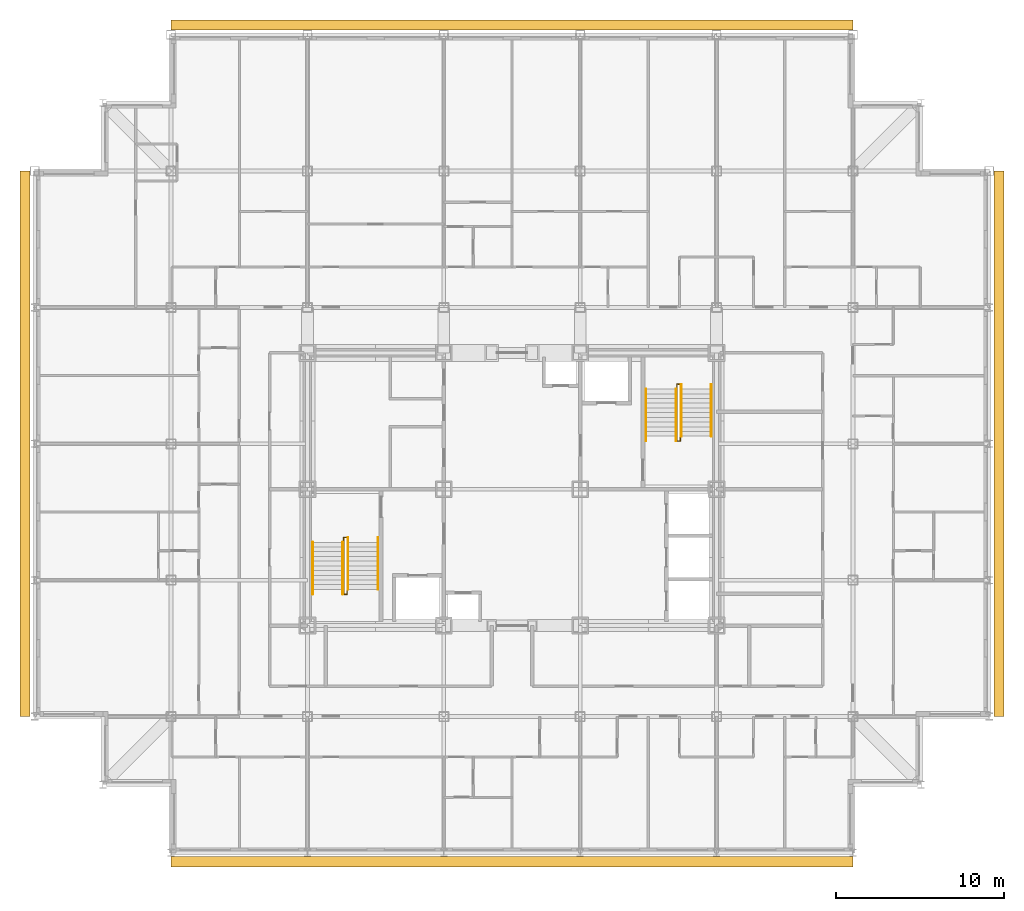
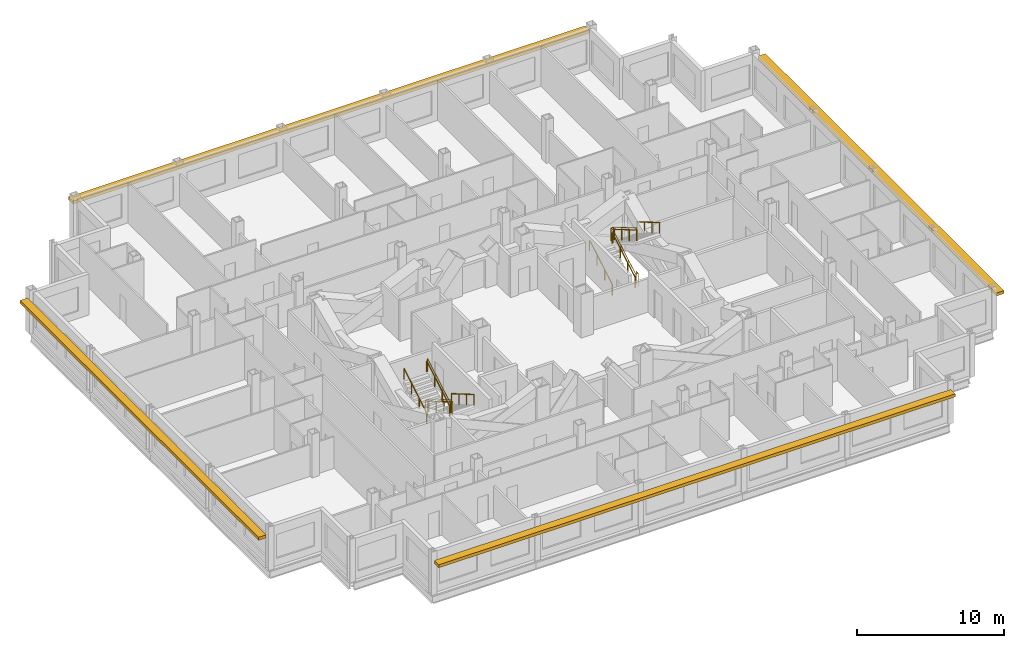
# One storey, part 12 of 12: 10 railings, 4 shading devices.
"""IFC4 building model written with IfcOpenShell, lengths in metres."""

from ifc_helpers import new_model, si_unit, direction, frame, origin, origin_2d, place, context, subcontext, project, spatial, rectangle, circle, extrude, material, type_object, element, save


model = new_model("IFC4")

# Units and contexts
model_context = context("Model", 3, precision=1e-05, world=origin(), true_north=direction((0.0, 1.0)))
body_context = subcontext(model_context, "Body", "Model", "MODEL_VIEW")
ifc_project = project(units=[si_unit("LENGTHUNIT", "METRE"), si_unit("AREAUNIT", "SQUARE_METRE"), si_unit("VOLUMEUNIT", "CUBIC_METRE"), si_unit("PLANEANGLEUNIT", "RADIAN"), si_unit("MASSUNIT", "GRAM", prefix="KILO")], contexts=[model_context])

# Site, building, storey
site_placement = place(None, origin())
site = spatial("IfcSite", under=ifc_project, at=site_placement, CompositionType="ELEMENT")
building_placement = place(site_placement, origin())
building = spatial("IfcBuilding", under=site, at=building_placement, Name="Kopane Lantern Tower", CompositionType="ELEMENT")
storey_placement = place(building_placement, frame((0.0, 0.0, 220.800048828125)))
storey = spatial("IfcBuildingStorey", under=building, at=storey_placement, Name="L57", CompositionType="ELEMENT", Elevation=220.800048828125)

# Railings
ifc_material_1 = material(Name="Steel", Category="steel")
railing_type_1 = type_object("IfcRailingType", Name="STAIR GUARD 1100", PredefinedType="GUARDRAIL", material=ifc_material_1)
railing_1_placement = place(storey_placement, frame((18.35009765625, 29.25, 0.0)))
element("IfcRailing", 1, at=railing_1_placement, inside=storey, type_object=railing_type_1, Name="ST1 well guard L57", PredefinedType="GUARDRAIL", context=body_context, shape_type="SweptSolid", body=[
    extrude(circle(Radius=0.02392578125, at=origin_2d()), frame((0.0, 0.0, 1.076171875), z_axis=(0.0, 1.0, 0.0), x_axis=(-1.0, 0.0, 0.0)), (0.0, 0.0, 1.0), 0.280029296875),
    extrude(circle(Radius=0.02392578125, at=origin_2d()), frame((0.0, 0.280029296875, 1.076171875), z_axis=(1.0, 0.0, 0.0), x_axis=(0.0, 1.0, 0.0)), (0.0, 0.0, 1.0), 0.199951171875),
    extrude(circle(Radius=0.02392578125, at=origin_2d()), frame((0.199951171875, 0.280029296875, 1.076171875), z_axis=(0.0, -0.863371556955, 0.504568681787), x_axis=(1.0, 0.0, 0.0)), (0.0, 0.0, 1.0), 3.5673828125),
    extrude(circle(Radius=0.02392578125, at=origin_2d()), frame((0.199951171875, -2.800048828125, 2.8759765625), z_axis=(0.0, -1.0, 0.0), x_axis=(1.0, 0.0, 0.0)), (0.0, 0.0, 1.0), 0.280029296875),
    extrude(circle(Radius=0.02392578125, at=origin_2d()), frame((0.199951171875, -3.080078125, 2.8759765625), z_axis=(-1.0, 0.0, 0.0), x_axis=(0.0, -1.0, 0.0)), (0.0, 0.0, 1.0), 0.199951171875),
    extrude(circle(Radius=0.02392578125, at=origin_2d()), frame((0.0, -3.080078125, 2.8759765625), z_axis=(0.0, 0.863401368682, 0.504517667242), x_axis=(-1.0, 0.0, 0.0)), (0.0, 0.0, 1.0), 3.5673828125),
    extrude(circle(Radius=0.02099609375, at=origin_2d()), origin(), (0.0, 0.0, 1.0), 1.052001953125),
    extrude(circle(Radius=0.02099609375, at=origin_2d()), frame((0.0, 0.280029296875, 0.0)), (0.0, 0.0, 1.0), 1.052001953125),
    extrude(circle(Radius=0.02099609375, at=origin_2d()), frame((0.199951171875, 0.280029296875, 0.0)), (0.0, 0.0, 1.0), 1.052001953125),
    extrude(circle(Radius=0.02099609375, at=origin_2d()), frame((0.199951171875, -0.74658203125, 0.60009765625)), (0.0, 0.0, 1.0), 1.052001953125),
    extrude(circle(Radius=0.02099609375, at=origin_2d()), frame((0.199951171875, -1.7734375, 1.199951171875)), (0.0, 0.0, 1.0), 1.052001953125),
    extrude(circle(Radius=0.02099609375, at=origin_2d()), frame((0.199951171875, -2.800048828125, 1.800048828125)), (0.0, 0.0, 1.0), 1.052001953125),
    extrude(circle(Radius=0.02099609375, at=origin_2d()), frame((0.199951171875, -3.080078125, 1.800048828125)), (0.0, 0.0, 1.0), 1.052001953125),
    extrude(circle(Radius=0.02099609375, at=origin_2d()), frame((0.0, -3.080078125, 1.800048828125)), (0.0, 0.0, 1.0), 1.052001953125),
    extrude(circle(Radius=0.02099609375, at=origin_2d()), frame((0.0, -2.053466796875, 2.39990234375)), (0.0, 0.0, 1.0), 1.052001953125),
    extrude(circle(Radius=0.02099609375, at=origin_2d()), frame((0.0, -1.026611328125, 3.0)), (0.0, 0.0, 1.0), 1.052001953125),
    extrude(circle(Radius=0.02099609375, at=origin_2d()), frame((0.0, 0.0, 3.599853515625)), (0.0, 0.0, 1.0), 1.052001953125),
])
railing_2_placement = place(storey_placement, frame((38.35009765625, 35.550048828125, 0.0)))
element("IfcRailing", 2, at=railing_2_placement, inside=storey, type_object=railing_type_1, Name="ST2 well guard L57", PredefinedType="GUARDRAIL", context=body_context, shape_type="SweptSolid", body=[
    extrude(circle(Radius=0.02392578125, at=origin_2d()), frame((0.0, 0.0, 1.076171875), z_axis=(0.0, -1.0, 0.0), x_axis=(1.0, 0.0, 0.0)), (0.0, 0.0, 1.0), 0.280029296875),
    extrude(circle(Radius=0.02392578125, at=origin_2d()), frame((0.0, -0.280029296875, 1.076171875), z_axis=(-1.0, 0.0, 0.0), x_axis=(0.0, -1.0, 0.0)), (0.0, 0.0, 1.0), 0.2001953125),
    extrude(circle(Radius=0.02392578125, at=origin_2d()), frame((-0.2001953125, -0.280029296875, 1.076171875), z_axis=(0.0, 0.863371556955, 0.504568681787), x_axis=(-1.0, 0.0, 0.0)), (0.0, 0.0, 1.0), 3.5673828125),
    extrude(circle(Radius=0.02392578125, at=origin_2d()), frame((-0.2001953125, 2.800048828125, 2.8759765625), z_axis=(0.0, 1.0, 0.0), x_axis=(-1.0, 0.0, 0.0)), (0.0, 0.0, 1.0), 0.27978515625),
    extrude(circle(Radius=0.02392578125, at=origin_2d()), frame((-0.2001953125, 3.079833984375, 2.8759765625), z_axis=(1.0, 0.0, 0.0), x_axis=(0.0, 1.0, 0.0)), (0.0, 0.0, 1.0), 0.2001953125),
    extrude(circle(Radius=0.02392578125, at=origin_2d()), frame((0.0, 3.079833984375, 2.8759765625), z_axis=(0.0, -0.863383947312, 0.504547479951), x_axis=(1.0, 0.0, 0.0)), (0.0, 0.0, 1.0), 3.567138671875),
    extrude(circle(Radius=0.02099609375, at=origin_2d()), origin(), (0.0, 0.0, 1.0), 1.052001953125),
    extrude(circle(Radius=0.02099609375, at=origin_2d()), frame((0.0, -0.280029296875, 0.0)), (0.0, 0.0, 1.0), 1.052001953125),
    extrude(circle(Radius=0.02099609375, at=origin_2d()), frame((-0.2001953125, -0.280029296875, 0.0)), (0.0, 0.0, 1.0), 1.052001953125),
    extrude(circle(Radius=0.02099609375, at=origin_2d()), frame((-0.2001953125, 0.74658203125, 0.60009765625)), (0.0, 0.0, 1.0), 1.052001953125),
    extrude(circle(Radius=0.02099609375, at=origin_2d()), frame((-0.2001953125, 1.7734375, 1.199951171875)), (0.0, 0.0, 1.0), 1.052001953125),
    extrude(circle(Radius=0.02099609375, at=origin_2d()), frame((-0.2001953125, 2.800048828125, 1.800048828125)), (0.0, 0.0, 1.0), 1.052001953125),
    extrude(circle(Radius=0.02099609375, at=origin_2d()), frame((-0.2001953125, 3.079833984375, 1.800048828125)), (0.0, 0.0, 1.0), 1.052001953125),
    extrude(circle(Radius=0.02099609375, at=origin_2d()), frame((0.0, 3.079833984375, 1.800048828125)), (0.0, 0.0, 1.0), 1.052001953125),
    extrude(circle(Radius=0.02099609375, at=origin_2d()), frame((0.0, 2.05322265625, 2.39990234375)), (0.0, 0.0, 1.0), 1.052001953125),
    extrude(circle(Radius=0.02099609375, at=origin_2d()), frame((0.0, 1.026611328125, 3.0)), (0.0, 0.0, 1.0), 1.052001953125),
    extrude(circle(Radius=0.02099609375, at=origin_2d()), frame((0.0, 0.0, 3.599853515625)), (0.0, 0.0, 1.0), 1.052001953125),
])
ifc_material_2 = material(Name="Steel", Category="steel")
railing_type_2 = type_object("IfcRailingType", Name="STAIR HANDRAIL 900", PredefinedType="HANDRAIL", material=ifc_material_2)
for number, where, name in (
    (3, (20.389892578125, 29.530029296875, 0.0), "ST1 handrail L57 flight 1"),
    (4, (18.610107421875, 29.530029296875, 0.0), "ST1 handrail L57 flight 1"),
):
    element("IfcRailing", number, at=place(storey_placement, frame(where)), inside=storey, type_object=railing_type_2, Name=name, PredefinedType="HANDRAIL", context=body_context, shape_type="SweptSolid", body=[
        extrude(circle(Radius=0.02392578125, at=origin_2d()), frame((0.0, 0.0, 0.8759765625), z_axis=(0.0, -0.863371556955, 0.504568681787), x_axis=(1.0, 0.0, 0.0)), (0.0, 0.0, 1.0), 3.5673828125),
        extrude(circle(Radius=0.02099609375, at=origin_2d()), origin(), (0.0, 0.0, 1.0), 0.851806640625),
        extrude(circle(Radius=0.02099609375, at=origin_2d()), frame((0.0, -1.026611328125, 0.60009765625)), (0.0, 0.0, 1.0), 0.851806640625),
        extrude(circle(Radius=0.02099609375, at=origin_2d()), frame((0.0, -2.053466796875, 1.199951171875)), (0.0, 0.0, 1.0), 0.851806640625),
        extrude(circle(Radius=0.02099609375, at=origin_2d()), frame((0.0, -3.080078125, 1.800048828125)), (0.0, 0.0, 1.0), 0.851806640625),
    ])
for number, where, name in (
    (5, (16.510009765625, 26.169921875, 1.800048828125), "ST1 handrail L57 flight 2"),
    (6, (18.2900390625, 26.169921875, 1.800048828125), "ST1 handrail L57 flight 2"),
):
    element("IfcRailing", number, at=place(storey_placement, frame(where)), inside=storey, type_object=railing_type_2, Name=name, PredefinedType="HANDRAIL", context=body_context, shape_type="SweptSolid", body=[
        extrude(circle(Radius=0.02392578125, at=origin_2d()), frame((0.0, 0.0, 0.8759765625), z_axis=(0.0, 0.863401368682, 0.504517667242), x_axis=(-1.0, 0.0, 0.0)), (0.0, 0.0, 1.0), 3.5673828125),
        extrude(circle(Radius=0.02099609375, at=origin_2d()), origin(), (0.0, 0.0, 1.0), 0.851806640625),
        extrude(circle(Radius=0.02099609375, at=origin_2d()), frame((0.0, 1.026611328125, 0.599853515625)), (0.0, 0.0, 1.0), 0.851806640625),
        extrude(circle(Radius=0.02099609375, at=origin_2d()), frame((0.0, 2.053466796875, 1.199951171875)), (0.0, 0.0, 1.0), 0.851806640625),
        extrude(circle(Radius=0.02099609375, at=origin_2d()), frame((0.0, 3.080078125, 1.7998046875)), (0.0, 0.0, 1.0), 0.851806640625),
    ])
for number, where, name in (
    (7, (36.31005859375, 35.27001953125, 0.0), "ST2 handrail L57 flight 1"),
    (8, (38.090087890625, 35.27001953125, 0.0), "ST2 handrail L57 flight 1"),
):
    element("IfcRailing", number, at=place(storey_placement, frame(where)), inside=storey, type_object=railing_type_2, Name=name, PredefinedType="HANDRAIL", context=body_context, shape_type="SweptSolid", body=[
        extrude(circle(Radius=0.02392578125, at=origin_2d()), frame((0.0, 0.0, 0.8759765625), z_axis=(0.0, 0.863371556955, 0.504568681787), x_axis=(-1.0, 0.0, 0.0)), (0.0, 0.0, 1.0), 3.5673828125),
        extrude(circle(Radius=0.02099609375, at=origin_2d()), origin(), (0.0, 0.0, 1.0), 0.851806640625),
        extrude(circle(Radius=0.02099609375, at=origin_2d()), frame((0.0, 1.026611328125, 0.60009765625)), (0.0, 0.0, 1.0), 0.851806640625),
        extrude(circle(Radius=0.02099609375, at=origin_2d()), frame((0.0, 2.053466796875, 1.199951171875)), (0.0, 0.0, 1.0), 0.851806640625),
        extrude(circle(Radius=0.02099609375, at=origin_2d()), frame((0.0, 3.080078125, 1.800048828125)), (0.0, 0.0, 1.0), 0.851806640625),
    ])
for number, where, name in (
    (9, (40.18994140625, 38.6298828125, 1.800048828125), "ST2 handrail L57 flight 2"),
    (10, (38.409912109375, 38.6298828125, 1.800048828125), "ST2 handrail L57 flight 2"),
):
    element("IfcRailing", number, at=place(storey_placement, frame(where)), inside=storey, type_object=railing_type_2, Name=name, PredefinedType="HANDRAIL", context=body_context, shape_type="SweptSolid", body=[
        extrude(circle(Radius=0.02392578125, at=origin_2d()), frame((0.0, 0.0, 0.8759765625), z_axis=(0.0, -0.863383947312, 0.504547479951), x_axis=(1.0, 0.0, 0.0)), (0.0, 0.0, 1.0), 3.567138671875),
        extrude(circle(Radius=0.02099609375, at=origin_2d()), origin(), (0.0, 0.0, 1.0), 0.851806640625),
        extrude(circle(Radius=0.02099609375, at=origin_2d()), frame((0.0, -1.026611328125, 0.599853515625)), (0.0, 0.0, 1.0), 0.851806640625),
        extrude(circle(Radius=0.02099609375, at=origin_2d()), frame((0.0, -2.05322265625, 1.199951171875)), (0.0, 0.0, 1.0), 0.851806640625),
        extrude(circle(Radius=0.02099609375, at=origin_2d()), frame((0.0, -3.079833984375, 1.7998046875)), (0.0, 0.0, 1.0), 0.851806640625),
    ])

# Shading devices
ifc_material_3 = material(Name="Terracotta rainscreen on light steel framing", Category="masonry")
shading_device_type = type_object("IfcShadingDeviceType", Name="SUNSHADE BAND SB1 600 TERRACOTTA", PredefinedType="USERDEFINED", material=ifc_material_3)
shading_device_1_placement = place(storey_placement, frame((28.35009765625, 10.272216796875, 2.599853515625), z_axis=(0.0, 0.0, 1.0), x_axis=(1.0, 0.0, 0.0)))
element("IfcShadingDevice", 11, at=shading_device_1_placement, inside=storey, type_object=shading_device_type, Name="Sunshade band S L57", ObjectType="SUNSHADE BAND", PredefinedType="USERDEFINED", context=body_context, shape_type="SweptSolid", body=[
    extrude(rectangle(XDim=40.5, YDim=0.60009765625, at=origin_2d()), origin(), (0.0, 0.0, 1.0), 0.25),
])
shading_device_2_placement = place(storey_placement, frame((57.27490234375, 35.10009765625, 2.599853515625), z_axis=(0.0, 0.0, 1.0), x_axis=(0.0, 1.0, 0.0)))
element("IfcShadingDevice", 12, at=shading_device_2_placement, inside=storey, type_object=shading_device_type, Name="Sunshade band E L57", ObjectType="SUNSHADE BAND", PredefinedType="USERDEFINED", context=body_context, shape_type="SweptSolid", body=[
    extrude(rectangle(XDim=32.39990234375, YDim=0.60009765625, at=origin_2d()), origin(), (0.0, 0.0, 1.0), 0.25),
])
shading_device_3_placement = place(storey_placement, frame((28.35009765625, 59.97509765625, 2.599853515625), z_axis=(0.0, 0.0, 1.0), x_axis=(-1.0, 0.0, 0.0)))
element("IfcShadingDevice", 13, at=shading_device_3_placement, inside=storey, type_object=shading_device_type, Name="Sunshade band N L57", ObjectType="SUNSHADE BAND", PredefinedType="USERDEFINED", context=body_context, shape_type="SweptSolid", body=[
    extrude(rectangle(XDim=40.5, YDim=0.60009765625, at=origin_2d()), origin(), (0.0, 0.0, 1.0), 0.25),
])
shading_device_4_placement = place(storey_placement, frame((-0.574951171875, 35.10009765625, 2.599853515625), z_axis=(0.0, 0.0, 1.0), x_axis=(0.0, -1.0, 0.0)))
element("IfcShadingDevice", 14, at=shading_device_4_placement, inside=storey, type_object=shading_device_type, Name="Sunshade band W L57", ObjectType="SUNSHADE BAND", PredefinedType="USERDEFINED", context=body_context, shape_type="SweptSolid", body=[
    extrude(rectangle(XDim=32.39990234375, YDim=0.60009765625, at=origin_2d()), origin(), (0.0, 0.0, 1.0), 0.25),
])

save(model, "model.ifc")
